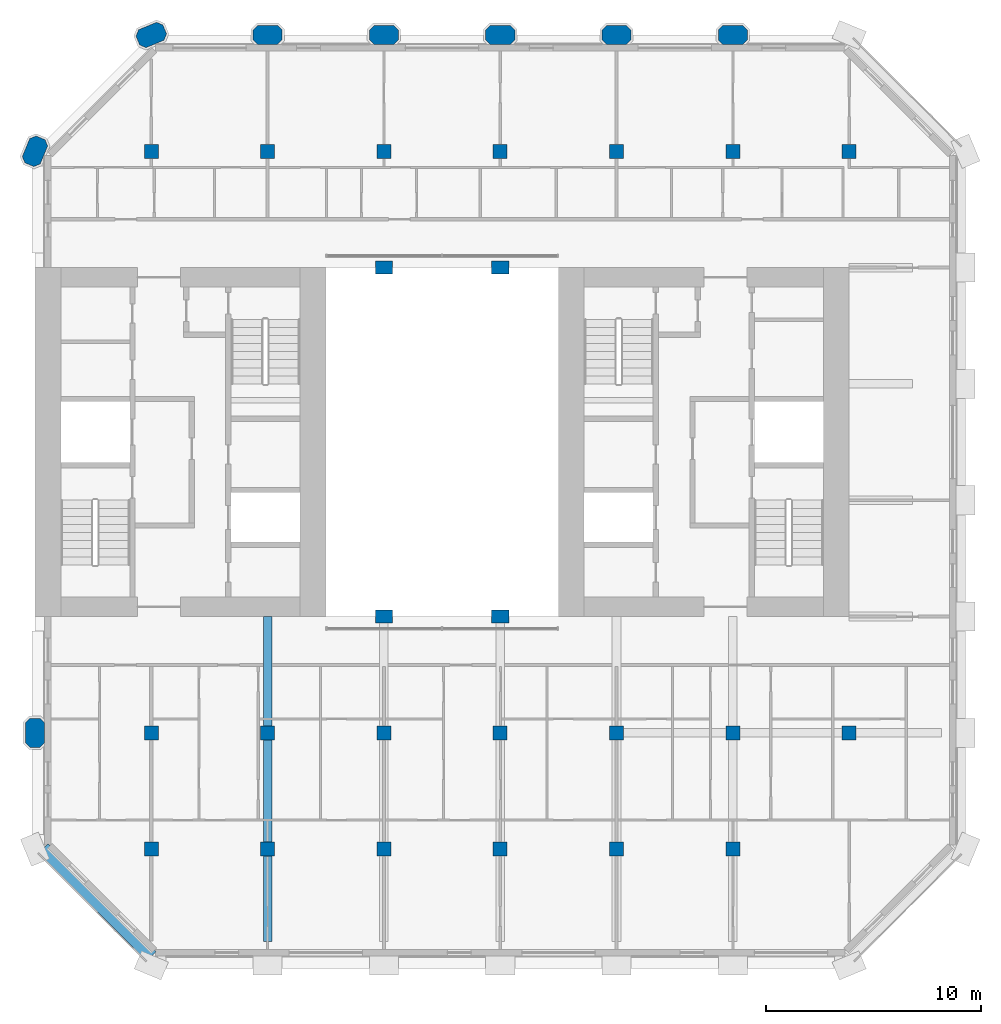
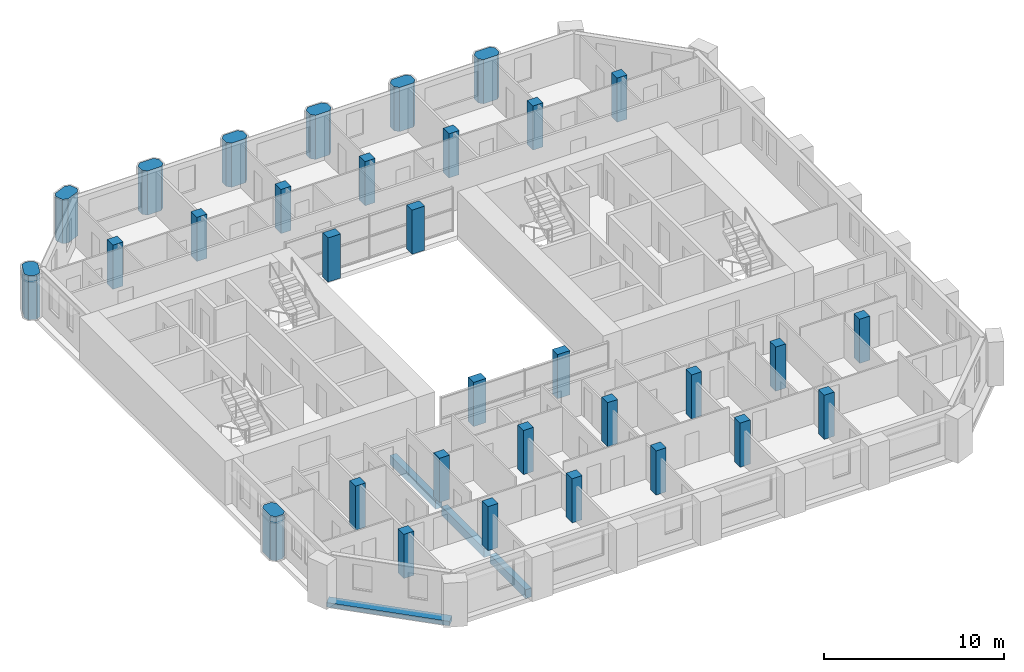
# One storey, part 1 of 16: 32 columns, 4 beams.
"""IFC4 building model written with IfcOpenShell, lengths in metres."""

from ifc_helpers import new_model, si_unit, direction, frame, origin, origin_2d, place, context, subcontext, project, spatial, polyline, rectangle, outline, extrude, material, material_profile, profile_set, type_object, element, save


model = new_model("IFC4")

# Units and contexts
model_context = context("Model", 3, precision=1e-05, world=origin(), true_north=direction((0.0, 1.0)))
body_context = subcontext(model_context, "Body", "Model", "MODEL_VIEW")
ifc_project = project(units=[si_unit("LENGTHUNIT", "METRE"), si_unit("AREAUNIT", "SQUARE_METRE"), si_unit("VOLUMEUNIT", "CUBIC_METRE"), si_unit("PLANEANGLEUNIT", "RADIAN"), si_unit("MASSUNIT", "GRAM", prefix="KILO")], contexts=[model_context])

# Site, building, storey
site_placement = place(None, origin())
site = spatial("IfcSite", under=ifc_project, at=site_placement, CompositionType="ELEMENT")
building_placement = place(site_placement, origin())
building = spatial("IfcBuilding", under=site, at=building_placement, Name="Tabaq Tower and Sports Hall", CompositionType="ELEMENT")
storey_placement = place(building_placement, frame((0.0, 0.0, 268.60009765625)))
storey = spatial("IfcBuildingStorey", under=building, at=storey_placement, Name="L65", CompositionType="ELEMENT", Elevation=268.60009765625)

# Columns
ifc_material_1 = material(Name="Concrete C40/50", Category="concrete")
ifc_material_profile_1 = material_profile(ifc_material_1, rectangle(XDim=0.800048828125, YDim=0.60009765625, at=origin_2d()), Name="ATRIUM COLUMN 800x600")
ifc_profile_set_1 = profile_set([ifc_material_profile_1], Name="Concrete C40/50")
column_type_1 = type_object("IfcColumnType", Name="RC COLUMN ATRIUM COLUMN 800x600 C40/50", PredefinedType="COLUMN", material=ifc_profile_set_1)
for number, where, z_axis, x_axis, name in (
    (1, (21.60009765625, 16.199951171875, 0.0), (0.0, 0.0, 1.0), (1.0, 0.0, 0.0), "Atrium Column 5/D L65"),
    (2, (27.0, 16.199951171875, 0.0), (0.0, 0.0, 1.0), (1.0, 0.0, 0.0), "Atrium Column 6/D L65"),
    (3, (21.60009765625, 32.39990234375, 0.0), (0.0, 0.0, 1.0), (1.0, 0.0, 0.0), "Atrium Column 5/G L65"),
    (4, (27.0, 32.39990234375, 0.0), (0.0, 0.0, 1.0), (1.0, 0.0, 0.0), "Atrium Column 6/G L65"),
):
    element("IfcColumn", number, at=place(storey_placement, frame(where, z_axis=z_axis, x_axis=x_axis)), inside=storey, type_object=column_type_1, Name=name, PredefinedType="COLUMN", context=body_context, shape_type="SweptSolid", body=[
        extrude(rectangle(XDim=0.800048828125, YDim=0.60009765625, at=origin_2d()), origin(), (0.0, 0.0, 1.0), 3.0),
    ])
ifc_material_2 = material(Name="Concrete C40/50", Category="concrete")
ifc_material_profile_2 = material_profile(ifc_material_2, rectangle(XDim=0.64990234375, YDim=0.64990234375, at=origin_2d()), Name="COLUMN 650x650")
ifc_profile_set_2 = profile_set([ifc_material_profile_2], Name="Concrete C40/50")
column_type_2 = type_object("IfcColumnType", Name="RC COLUMN COLUMN 650x650 C40/50", PredefinedType="COLUMN", material=ifc_profile_set_2)
for number, where, z_axis, x_axis, name in (
    (5, (10.800048828125, 5.39990234375, 0.0), (0.0, 0.0, 1.0), (1.0, 0.0, 0.0), "Column 3/B L65"),
    (6, (16.199951171875, 5.39990234375, 0.0), (0.0, 0.0, 1.0), (1.0, 0.0, 0.0), "Column 4/B L65"),
    (7, (21.60009765625, 5.39990234375, 0.0), (0.0, 0.0, 1.0), (1.0, 0.0, 0.0), "Column 5/B L65"),
    (8, (27.0, 5.39990234375, 0.0), (0.0, 0.0, 1.0), (1.0, 0.0, 0.0), "Column 6/B L65"),
    (9, (32.39990234375, 5.39990234375, 0.0), (0.0, 0.0, 1.0), (1.0, 0.0, 0.0), "Column 7/B L65"),
    (10, (37.800048828125, 5.39990234375, 0.0), (0.0, 0.0, 1.0), (1.0, 0.0, 0.0), "Column 8/B L65"),
    (11, (10.800048828125, 10.800048828125, 0.0), (0.0, 0.0, 1.0), (1.0, 0.0, 0.0), "Column 3/C L65"),
    (12, (16.199951171875, 10.800048828125, 0.0), (0.0, 0.0, 1.0), (1.0, 0.0, 0.0), "Column 4/C L65"),
    (13, (21.60009765625, 10.800048828125, 0.0), (0.0, 0.0, 1.0), (1.0, 0.0, 0.0), "Column 5/C L65"),
    (14, (27.0, 10.800048828125, 0.0), (0.0, 0.0, 1.0), (1.0, 0.0, 0.0), "Column 6/C L65"),
    (15, (32.39990234375, 10.800048828125, 0.0), (0.0, 0.0, 1.0), (1.0, 0.0, 0.0), "Column 7/C L65"),
    (16, (37.800048828125, 10.800048828125, 0.0), (0.0, 0.0, 1.0), (1.0, 0.0, 0.0), "Column 8/C L65"),
    (17, (43.199951171875, 10.800048828125, 0.0), (0.0, 0.0, 1.0), (1.0, 0.0, 0.0), "Column 9/C L65"),
    (18, (10.800048828125, 37.800048828125, 0.0), (0.0, 0.0, 1.0), (1.0, 0.0, 0.0), "Column 3/H L65"),
    (19, (16.199951171875, 37.800048828125, 0.0), (0.0, 0.0, 1.0), (1.0, 0.0, 0.0), "Column 4/H L65"),
    (20, (21.60009765625, 37.800048828125, 0.0), (0.0, 0.0, 1.0), (1.0, 0.0, 0.0), "Column 5/H L65"),
    (21, (27.0, 37.800048828125, 0.0), (0.0, 0.0, 1.0), (1.0, 0.0, 0.0), "Column 6/H L65"),
    (22, (32.39990234375, 37.800048828125, 0.0), (0.0, 0.0, 1.0), (1.0, 0.0, 0.0), "Column 7/H L65"),
    (23, (37.800048828125, 37.800048828125, 0.0), (0.0, 0.0, 1.0), (1.0, 0.0, 0.0), "Column 8/H L65"),
    (24, (43.199951171875, 37.800048828125, 0.0), (0.0, 0.0, 1.0), (1.0, 0.0, 0.0), "Column 9/H L65"),
):
    element("IfcColumn", number, at=place(storey_placement, frame(where, z_axis=z_axis, x_axis=x_axis)), inside=storey, type_object=column_type_2, Name=name, PredefinedType="COLUMN", context=body_context, shape_type="SweptSolid", body=[
        extrude(rectangle(XDim=0.64990234375, YDim=0.64990234375, at=origin_2d()), origin(), (0.0, 0.0, 1.0), 3.0),
    ])
ifc_material_3 = material(Name="Concrete C40/50", Category="concrete")
ifc_material_profile_3 = material_profile(ifc_material_3, outline(polyline([(-0.449951171875, -0.449951171875), (0.449951171875, -0.449951171875), (0.675048828125, -0.22509765625), (0.675048828125, 0.22509765625), (0.449951171875, 0.449951171875), (-0.449951171875, 0.449951171875), (-0.675048828125, 0.22509765625), (-0.675048828125, -0.22509765625), (-0.449951171875, -0.449951171875)])), Name="PIER 1350x900")
ifc_profile_set_3 = profile_set([ifc_material_profile_3], Name="Concrete C40/50")
column_type_3 = type_object("IfcColumnType", Name="RC COLUMN PIER 1350x900 C40/50", PredefinedType="COLUMN", material=ifc_profile_set_3)
for number, where, z_axis, x_axis, name in (
    (25, (5.39990234375, 10.800048828125, 0.0), (0.0, 0.0, 1.0), (0.0, 1.0, 0.0), "Pier 2/C L65"),
    (26, (5.39990234375, 37.800048828125, 0.0), (0.0, 0.0, 1.0), (0.382683432365, 0.923879532511, 0.0), "Pier 2/H L65"),
    (27, (10.800048828125, 43.199951171875, 0.0), (0.0, 0.0, 1.0), (0.923879532511, 0.382683432365, 0.0), "Pier 3/I L65"),
    (28, (16.199951171875, 43.199951171875, 0.0), (0.0, 0.0, 1.0), (1.0, 0.0, 0.0), "Pier 4/I L65"),
    (29, (21.60009765625, 43.199951171875, 0.0), (0.0, 0.0, 1.0), (1.0, 0.0, 0.0), "Pier 5/I L65"),
    (30, (27.0, 43.199951171875, 0.0), (0.0, 0.0, 1.0), (1.0, 0.0, 0.0), "Pier 6/I L65"),
    (31, (32.39990234375, 43.199951171875, 0.0), (0.0, 0.0, 1.0), (1.0, 0.0, 0.0), "Pier 7/I L65"),
    (32, (37.800048828125, 43.199951171875, 0.0), (0.0, 0.0, 1.0), (1.0, 0.0, 0.0), "Pier 8/I L65"),
):
    element("IfcColumn", number, at=place(storey_placement, frame(where, z_axis=z_axis, x_axis=x_axis)), inside=storey, type_object=column_type_3, Name=name, PredefinedType="COLUMN", context=body_context, shape_type="SweptSolid", body=[
        extrude(outline(polyline([(-0.449951171875, -0.449951171875), (0.449951171875, -0.449951171875), (0.675048828125, -0.22509765625), (0.675048828125, 0.22509765625), (0.449951171875, 0.449951171875), (-0.449951171875, 0.449951171875), (-0.675048828125, 0.22509765625), (-0.675048828125, -0.22509765625), (-0.449951171875, -0.449951171875)])), origin(), (0.0, 0.0, 1.0), 3.0),
    ])

# Beams
ifc_material_4 = material(Name="Concrete C40/50", Category="concrete")
ifc_material_profile_4 = material_profile(ifc_material_4, rectangle(XDim=0.39990234375, YDim=0.60009765625, at=origin_2d()), Name="CB 400x600")
ifc_profile_set_4 = profile_set([ifc_material_profile_4], Name="Concrete C40/50")
beam_type_1 = type_object("IfcBeamType", Name="PT CANTILEVER BEAM CB 400x600 C40/50", PredefinedType="BEAM", material=ifc_profile_set_4)
beam_1_placement = place(storey_placement, frame((16.199951171875, 1.125, -0.60009765625), z_axis=(0.0, 1.0, 0.0), x_axis=(-1.0, 0.0, 0.0)))
element("IfcBeam", 33, at=beam_1_placement, inside=storey, type_object=beam_type_1, Name="Cantilever Beam L65 S3 span 1", PredefinedType="BEAM", context=body_context, shape_type="SweptSolid", body=[
    extrude(rectangle(XDim=0.39990234375, YDim=0.60009765625, at=origin_2d()), origin(), (0.0, 0.0, 1.0), 3.949951171875),
])
beam_2_placement = place(storey_placement, frame((16.199951171875, 5.72509765625, -0.60009765625), z_axis=(0.0, 1.0, 0.0), x_axis=(-1.0, 0.0, 0.0)))
element("IfcBeam", 34, at=beam_2_placement, inside=storey, type_object=beam_type_1, Name="Cantilever Beam L65 S3 span 2", PredefinedType="BEAM", context=body_context, shape_type="SweptSolid", body=[
    extrude(rectangle(XDim=0.39990234375, YDim=0.60009765625, at=origin_2d()), origin(), (0.0, 0.0, 1.0), 4.75),
])
beam_3_placement = place(storey_placement, frame((16.199951171875, 11.125, -0.60009765625), z_axis=(0.0, 1.0, 0.0), x_axis=(-1.0, 0.0, 0.0)))
element("IfcBeam", 35, at=beam_3_placement, inside=storey, type_object=beam_type_1, Name="Cantilever Beam L65 S3 span 3", PredefinedType="BEAM", context=body_context, shape_type="SweptSolid", body=[
    extrude(rectangle(XDim=0.39990234375, YDim=0.60009765625, at=origin_2d()), origin(), (0.0, 0.0, 1.0), 5.074951171875),
])
ifc_material_5 = material(Name="Concrete C40/50", Category="concrete")
ifc_material_profile_5 = material_profile(ifc_material_5, rectangle(XDim=0.60009765625, YDim=0.300048828125, at=origin_2d()), Name="EB 600x300")
ifc_profile_set_5 = profile_set([ifc_material_profile_5], Name="Concrete C40/50")
beam_type_2 = type_object("IfcBeamType", Name="PT EDGE BEAM EB 600x300 C40/50", PredefinedType="SPANDREL", material=ifc_profile_set_5)
beam_4_placement = place(storey_placement, frame((5.788818359375, 5.435302734375, -0.150146484375), z_axis=(0.707124002701, -0.707089559252, 0.0), x_axis=(0.707089559252, 0.707124002701, 0.0)))
element("IfcBeam", 36, at=beam_4_placement, inside=storey, type_object=beam_type_2, Name="Edge Beam L65 5", PredefinedType="SPANDREL", context=body_context, shape_type="SweptSolid", body=[
    extrude(rectangle(XDim=0.60009765625, YDim=0.300048828125, at=origin_2d()), origin(), (0.0, 0.0, 1.0), 7.088134765625),
])

save(model, "model.ifc")
